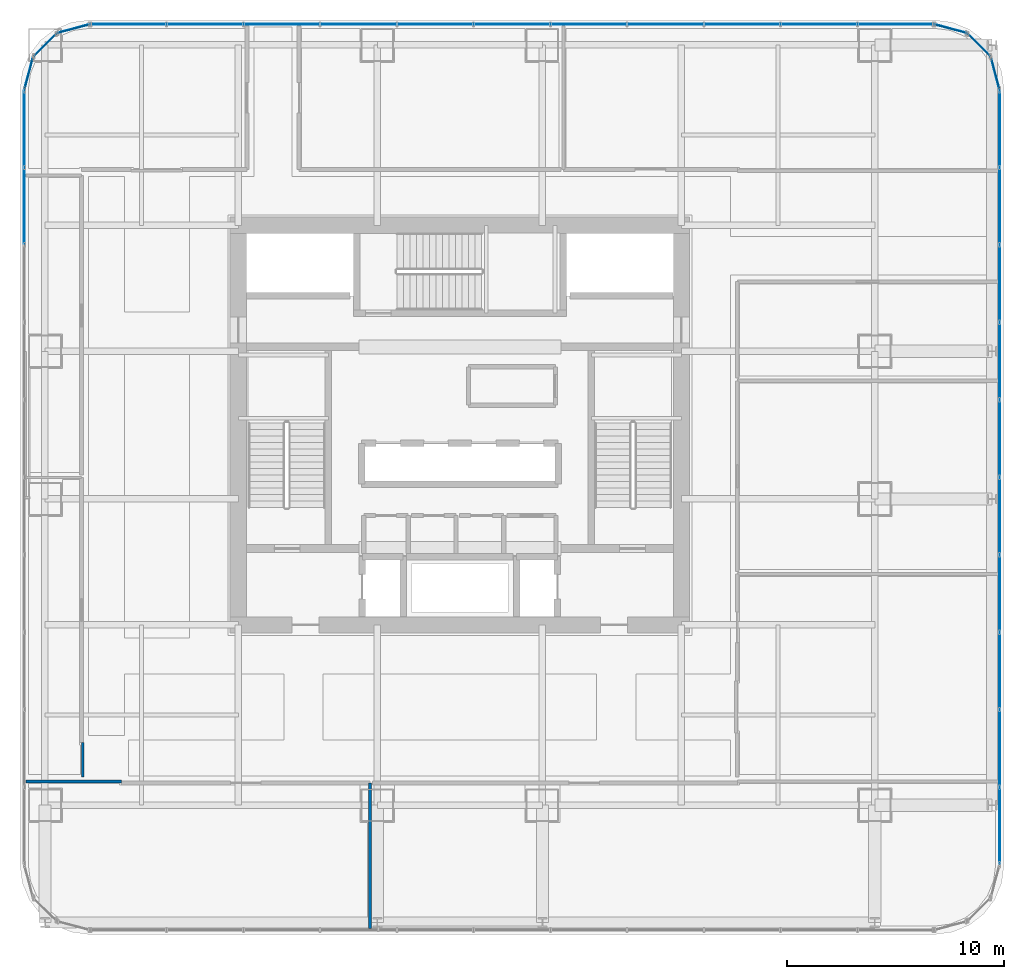
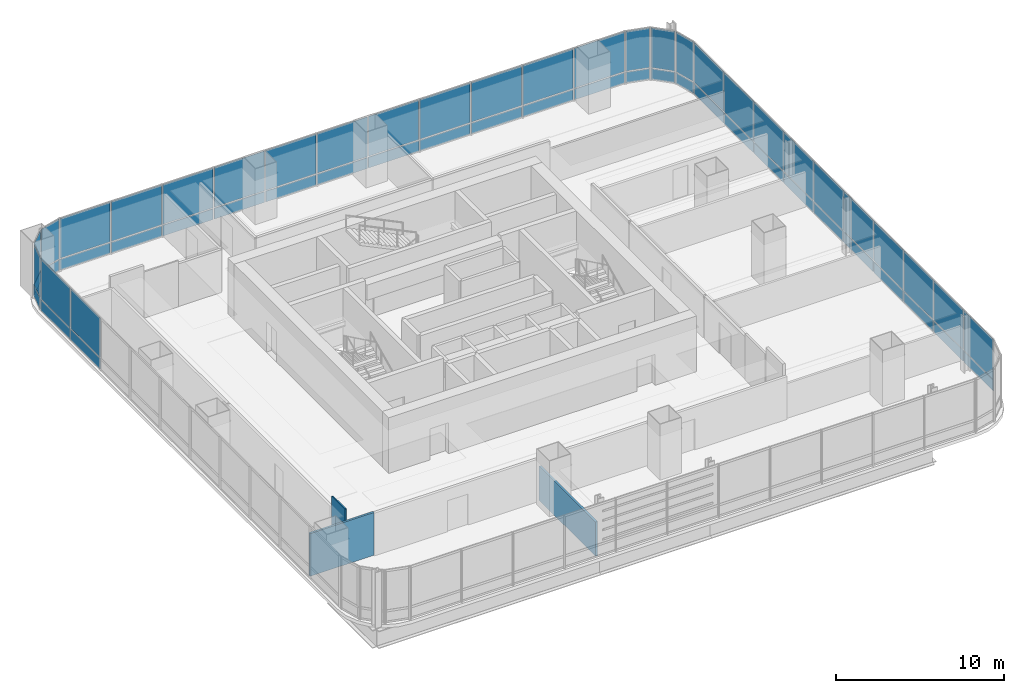
# One storey, part 26 of 35: 58 plates, 3 walls, 9 elements without a shape of their own.
"""IFC4 building model written with IfcOpenShell, lengths in metres."""

from ifc_helpers import new_model, si_unit, direction, frame, frame_2d, origin, origin_2d, place, context, subcontext, project, spatial, rectangle, extrude, material, layer, layer_set, type_object, element, aggregate, save


model = new_model("IFC4")

# Units and contexts
model_context = context("Model", 3, precision=1e-05, world=origin(), true_north=direction((0.0, 1.0)))
body_context = subcontext(model_context, "Body", "Model", "MODEL_VIEW")
ifc_project = project(units=[si_unit("LENGTHUNIT", "METRE"), si_unit("AREAUNIT", "SQUARE_METRE"), si_unit("VOLUMEUNIT", "CUBIC_METRE"), si_unit("PLANEANGLEUNIT", "RADIAN"), si_unit("MASSUNIT", "GRAM", prefix="KILO")], contexts=[model_context])

# Site, building, storey
site_placement = place(None, origin())
site = spatial("IfcSite", under=ifc_project, at=site_placement, CompositionType="ELEMENT")
building_placement = place(site_placement, origin())
building = spatial("IfcBuilding", under=site, at=building_placement, Name="Punatoya Terracotta Tower", CompositionType="ELEMENT")
storey_placement = place(building_placement, frame((0.0, 0.0, 72.75)))
storey = spatial("IfcBuildingStorey", under=building, at=storey_placement, Name="L16", CompositionType="ELEMENT", Elevation=72.75)

# Curtain wall, plates
ifc_material_1 = material(Name="Aluminium 6063-T6 + Double Low-E Glass", Category="aluminium")
curtain_wall_type = type_object("IfcCurtainWallType", Name="CW-M1", PredefinedType="NOTDEFINED", material=ifc_material_1)
curtain_wall_1_placement = place(storey_placement, origin())
curtain_wall_1 = element("IfcCurtainWall", 1, at=curtain_wall_1_placement, inside=storey, type_object=curtain_wall_type, Name="L16 Curtain Wall CW-L16-E05-1", PredefinedType="NOTDEFINED")
ifc_material_2 = material(Name="Double Low-E Clear Vision Glass", Category="glass")
ifc_layer_1 = layer(ifc_material_2, 0.028076171875)
ifc_layer_set_1 = layer_set([ifc_layer_1], Name="Double Low-E Clear Vision Glass")
plate_type_1 = type_object("IfcPlateType", Name="PLT-GLZ-28", PredefinedType="CURTAIN_PANEL", material=ifc_layer_set_1)
plate_1_placement = place(storey_placement, frame((24.85009765625, -18.453125, 0.89013671875), z_axis=(0.0, 0.0, 1.0), x_axis=(0.0, 1.0, 0.0)))
plate_1 = element("IfcPlate", 2, at=plate_1_placement, type_object=plate_type_1, Name="CW-L16-E05-1 Vision Glass Panel 1", PredefinedType="CURTAIN_PANEL", context=body_context, shape_type="SweptSolid", body=[
    extrude(rectangle(XDim=3.482421875, YDim=0.028076171875, at=origin_2d()), origin(), (0.0, 0.0, 1.0), 2.8798828125),
])
plate_2_placement = place(storey_placement, frame((24.85009765625, -14.8857421875, 0.89013671875), z_axis=(0.0, 0.0, 1.0), x_axis=(0.0, 1.0, 0.0)))
plate_2 = element("IfcPlate", 3, at=plate_2_placement, type_object=plate_type_1, Name="CW-L16-E05-1 Vision Glass Panel 2", PredefinedType="CURTAIN_PANEL", context=body_context, shape_type="SweptSolid", body=[
    extrude(rectangle(XDim=3.482421875, YDim=0.028076171875, at=origin_2d()), origin(), (0.0, 0.0, 1.0), 2.8798828125),
])
plate_3_placement = place(storey_placement, frame((24.85009765625, -11.318359375, 0.89013671875), z_axis=(0.0, 0.0, 1.0), x_axis=(0.0, 1.0, 0.0)))
plate_3 = element("IfcPlate", 4, at=plate_3_placement, type_object=plate_type_1, Name="CW-L16-E05-1 Vision Glass Panel 3", PredefinedType="CURTAIN_PANEL", context=body_context, shape_type="SweptSolid", body=[
    extrude(rectangle(XDim=3.482421875, YDim=0.028076171875, at=origin_2d()), origin(), (0.0, 0.0, 1.0), 2.8798828125),
])
plate_4_placement = place(storey_placement, frame((24.85009765625, -7.751220703125, 0.89013671875), z_axis=(0.0, 0.0, 1.0), x_axis=(0.0, 1.0, 0.0)))
plate_4 = element("IfcPlate", 5, at=plate_4_placement, type_object=plate_type_1, Name="CW-L16-E05-1 Vision Glass Panel 4", PredefinedType="CURTAIN_PANEL", context=body_context, shape_type="SweptSolid", body=[
    extrude(rectangle(XDim=3.482421875, YDim=0.028076171875, at=origin_2d()), origin(), (0.0, 0.0, 1.0), 2.8798828125),
])
plate_5_placement = place(storey_placement, frame((24.85009765625, -4.18359375, 0.89013671875), z_axis=(0.0, 0.0, 1.0), x_axis=(0.0, 1.0, 0.0)))
plate_5 = element("IfcPlate", 6, at=plate_5_placement, type_object=plate_type_1, Name="CW-L16-E05-1 Vision Glass Panel 5", PredefinedType="CURTAIN_PANEL", context=body_context, shape_type="SweptSolid", body=[
    extrude(rectangle(XDim=3.482421875, YDim=0.028076171875, at=origin_2d()), origin(), (0.0, 0.0, 1.0), 2.8798828125),
])
plate_6_placement = place(storey_placement, frame((24.85009765625, -0.6162109375, 0.89013671875), z_axis=(0.0, 0.0, 1.0), x_axis=(0.0, 1.0, 0.0)))
plate_6 = element("IfcPlate", 7, at=plate_6_placement, type_object=plate_type_1, Name="CW-L16-E05-1 Vision Glass Panel 6", PredefinedType="CURTAIN_PANEL", context=body_context, shape_type="SweptSolid", body=[
    extrude(rectangle(XDim=3.482421875, YDim=0.028076171875, at=origin_2d()), origin(), (0.0, 0.0, 1.0), 2.8798828125),
])
plate_7_placement = place(storey_placement, frame((24.85009765625, 2.951171875, 0.89013671875), z_axis=(0.0, 0.0, 1.0), x_axis=(0.0, 1.0, 0.0)))
plate_7 = element("IfcPlate", 8, at=plate_7_placement, type_object=plate_type_1, Name="CW-L16-E05-1 Vision Glass Panel 7", PredefinedType="CURTAIN_PANEL", context=body_context, shape_type="SweptSolid", body=[
    extrude(rectangle(XDim=3.482421875, YDim=0.028076171875, at=origin_2d()), origin(), (0.0, 0.0, 1.0), 2.8798828125),
])
plate_8_placement = place(storey_placement, frame((24.85009765625, 6.518310546875, 0.89013671875), z_axis=(0.0, 0.0, 1.0), x_axis=(0.0, 1.0, 0.0)))
plate_8 = element("IfcPlate", 9, at=plate_8_placement, type_object=plate_type_1, Name="CW-L16-E05-1 Vision Glass Panel 8", PredefinedType="CURTAIN_PANEL", context=body_context, shape_type="SweptSolid", body=[
    extrude(rectangle(XDim=3.482421875, YDim=0.028076171875, at=origin_2d()), origin(), (0.0, 0.0, 1.0), 2.8798828125),
])
plate_9_placement = place(storey_placement, frame((24.85009765625, 10.085693359375, 0.89013671875), z_axis=(0.0, 0.0, 1.0), x_axis=(0.0, 1.0, 0.0)))
plate_9 = element("IfcPlate", 10, at=plate_9_placement, type_object=plate_type_1, Name="CW-L16-E05-1 Vision Glass Panel 9", PredefinedType="CURTAIN_PANEL", context=body_context, shape_type="SweptSolid", body=[
    extrude(rectangle(XDim=3.482421875, YDim=0.028076171875, at=origin_2d()), origin(), (0.0, 0.0, 1.0), 2.8798828125),
])
plate_10_placement = place(storey_placement, frame((24.85009765625, 13.6533203125, 0.89013671875), z_axis=(0.0, 0.0, 1.0), x_axis=(0.0, 1.0, 0.0)))
plate_10 = element("IfcPlate", 11, at=plate_10_placement, type_object=plate_type_1, Name="CW-L16-E05-1 Vision Glass Panel 10", PredefinedType="CURTAIN_PANEL", context=body_context, shape_type="SweptSolid", body=[
    extrude(rectangle(XDim=3.482421875, YDim=0.028076171875, at=origin_2d()), origin(), (0.0, 0.0, 1.0), 2.8798828125),
])

# Curtain wall, plate
curtain_wall_2_placement = place(storey_placement, origin())
curtain_wall_2 = element("IfcCurtainWall", 12, at=curtain_wall_2_placement, inside=storey, type_object=curtain_wall_type, Name="L16 Curtain Wall CW-L16-CRN06", PredefinedType="NOTDEFINED")
plate_11_placement = place(storey_placement, frame((24.648193359375, 16.193115234375, 0.89013671875), z_axis=(0.0, 0.0, 1.0), x_axis=(-0.257741620719, 0.966213877436, 0.0)))
plate_11 = element("IfcPlate", 13, at=plate_11_placement, type_object=plate_type_1, Name="CW-L16-CRN06 Vision Glass Panel 1", PredefinedType="CURTAIN_PANEL", context=body_context, shape_type="SweptSolid", body=[
    extrude(rectangle(XDim=1.47998046875, YDim=0.028076171875, at=origin_2d()), origin(), (0.0, 0.0, 1.0), 2.8798828125),
])

curtain_wall_3_placement = place(storey_placement, origin())
curtain_wall_3 = element("IfcCurtainWall", 14, at=curtain_wall_3_placement, inside=storey, type_object=curtain_wall_type, Name="L16 Curtain Wall CW-L16-CRN07", PredefinedType="NOTDEFINED")
plate_12_placement = place(storey_placement, frame((23.89794921875, 17.497802734375, 0.89013671875), z_axis=(0.0, 0.0, 1.0), x_axis=(-0.707106781187, 0.707106781187, 0.0)))
plate_12 = element("IfcPlate", 15, at=plate_12_placement, type_object=plate_type_1, Name="CW-L16-CRN07 Vision Glass Panel 1", PredefinedType="CURTAIN_PANEL", context=body_context, shape_type="SweptSolid", body=[
    extrude(rectangle(XDim=1.467041015625, YDim=0.028076171875, at=origin_2d()), origin(), (0.0, 0.0, 1.0), 2.8798828125),
])

curtain_wall_4_placement = place(storey_placement, origin())
curtain_wall_4 = element("IfcCurtainWall", 16, at=curtain_wall_4_placement, inside=storey, type_object=curtain_wall_type, Name="L16 Curtain Wall CW-L16-CRN08", PredefinedType="NOTDEFINED")
plate_13_placement = place(storey_placement, frame((22.593017578125, 18.248291015625, 0.89013671875), z_axis=(0.0, 0.0, 1.0), x_axis=(-0.966213877436, 0.257741620719, 0.0)))
plate_13 = element("IfcPlate", 17, at=plate_13_placement, type_object=plate_type_1, Name="CW-L16-CRN08 Vision Glass Panel 1", PredefinedType="CURTAIN_PANEL", context=body_context, shape_type="SweptSolid", body=[
    extrude(rectangle(XDim=1.47998046875, YDim=0.028076171875, at=origin_2d()), origin(), (0.0, 0.0, 1.0), 2.8798828125),
])

# Curtain wall, plates
curtain_wall_5_placement = place(storey_placement, origin())
curtain_wall_5 = element("IfcCurtainWall", 18, at=curtain_wall_5_placement, inside=storey, type_object=curtain_wall_type, Name="L16 Curtain Wall CW-L16-N09-1", PredefinedType="NOTDEFINED")
plate_14_placement = place(storey_placement, frame((20.06982421875, 18.449951171875, 0.89013671875), z_axis=(0.0, 0.0, 1.0), x_axis=(-1.0, 0.0, 0.0)))
plate_14 = element("IfcPlate", 19, at=plate_14_placement, type_object=plate_type_1, Name="CW-L16-N09-1 Vision Glass Panel 1", PredefinedType="CURTAIN_PANEL", context=body_context, shape_type="SweptSolid", body=[
    extrude(rectangle(XDim=3.448974609375, YDim=0.028076171875, at=origin_2d()), origin(), (0.0, 0.0, 1.0), 2.8798828125),
])
plate_15_placement = place(storey_placement, frame((16.535888671875, 18.449951171875, 0.89013671875), z_axis=(0.0, 0.0, 1.0), x_axis=(-1.0, 0.0, 0.0)))
plate_15 = element("IfcPlate", 20, at=plate_15_placement, type_object=plate_type_1, Name="CW-L16-N09-1 Vision Glass Panel 2", PredefinedType="CURTAIN_PANEL", context=body_context, shape_type="SweptSolid", body=[
    extrude(rectangle(XDim=3.448974609375, YDim=0.028076171875, at=origin_2d()), origin(), (0.0, 0.0, 1.0), 2.8798828125),
])
plate_16_placement = place(storey_placement, frame((13.001953125, 18.449951171875, 0.89013671875), z_axis=(0.0, 0.0, 1.0), x_axis=(-1.0, 0.0, 0.0)))
plate_16 = element("IfcPlate", 21, at=plate_16_placement, type_object=plate_type_1, Name="CW-L16-N09-1 Vision Glass Panel 3", PredefinedType="CURTAIN_PANEL", context=body_context, shape_type="SweptSolid", body=[
    extrude(rectangle(XDim=3.448974609375, YDim=0.028076171875, at=origin_2d()), origin(), (0.0, 0.0, 1.0), 2.8798828125),
])
plate_17_placement = place(storey_placement, frame((9.468017578125, 18.449951171875, 0.89013671875), z_axis=(0.0, 0.0, 1.0), x_axis=(-1.0, 0.0, 0.0)))
plate_17 = element("IfcPlate", 22, at=plate_17_placement, type_object=plate_type_1, Name="CW-L16-N09-1 Vision Glass Panel 4", PredefinedType="CURTAIN_PANEL", context=body_context, shape_type="SweptSolid", body=[
    extrude(rectangle(XDim=3.448974609375, YDim=0.028076171875, at=origin_2d()), origin(), (0.0, 0.0, 1.0), 2.8798828125),
])
plate_18_placement = place(storey_placement, frame((5.93408203125, 18.449951171875, 0.89013671875), z_axis=(0.0, 0.0, 1.0), x_axis=(-1.0, 0.0, 0.0)))
plate_18 = element("IfcPlate", 23, at=plate_18_placement, type_object=plate_type_1, Name="CW-L16-N09-1 Vision Glass Panel 5", PredefinedType="CURTAIN_PANEL", context=body_context, shape_type="SweptSolid", body=[
    extrude(rectangle(XDim=3.448974609375, YDim=0.028076171875, at=origin_2d()), origin(), (0.0, 0.0, 1.0), 2.8798828125),
])
plate_19_placement = place(storey_placement, frame((2.39990234375, 18.449951171875, 0.89013671875), z_axis=(0.0, 0.0, 1.0), x_axis=(-1.0, 0.0, 0.0)))
plate_19 = element("IfcPlate", 24, at=plate_19_placement, type_object=plate_type_1, Name="CW-L16-N09-1 Vision Glass Panel 6", PredefinedType="CURTAIN_PANEL", context=body_context, shape_type="SweptSolid", body=[
    extrude(rectangle(XDim=3.448974609375, YDim=0.028076171875, at=origin_2d()), origin(), (0.0, 0.0, 1.0), 2.8798828125),
])
plate_20_placement = place(storey_placement, frame((-1.134033203125, 18.449951171875, 0.89013671875), z_axis=(0.0, 0.0, 1.0), x_axis=(-1.0, 0.0, 0.0)))
plate_20 = element("IfcPlate", 25, at=plate_20_placement, type_object=plate_type_1, Name="CW-L16-N09-1 Vision Glass Panel 7", PredefinedType="CURTAIN_PANEL", context=body_context, shape_type="SweptSolid", body=[
    extrude(rectangle(XDim=3.448974609375, YDim=0.028076171875, at=origin_2d()), origin(), (0.0, 0.0, 1.0), 2.8798828125),
])
plate_21_placement = place(storey_placement, frame((-4.66796875, 18.449951171875, 0.89013671875), z_axis=(0.0, 0.0, 1.0), x_axis=(-1.0, 0.0, 0.0)))
plate_21 = element("IfcPlate", 26, at=plate_21_placement, type_object=plate_type_1, Name="CW-L16-N09-1 Vision Glass Panel 8", PredefinedType="CURTAIN_PANEL", context=body_context, shape_type="SweptSolid", body=[
    extrude(rectangle(XDim=3.448974609375, YDim=0.028076171875, at=origin_2d()), origin(), (0.0, 0.0, 1.0), 2.8798828125),
])
plate_22_placement = place(storey_placement, frame((-8.201904296875, 18.449951171875, 0.89013671875), z_axis=(0.0, 0.0, 1.0), x_axis=(-1.0, 0.0, 0.0)))
plate_22 = element("IfcPlate", 27, at=plate_22_placement, type_object=plate_type_1, Name="CW-L16-N09-1 Vision Glass Panel 9", PredefinedType="CURTAIN_PANEL", context=body_context, shape_type="SweptSolid", body=[
    extrude(rectangle(XDim=3.448974609375, YDim=0.028076171875, at=origin_2d()), origin(), (0.0, 0.0, 1.0), 2.8798828125),
])
plate_23_placement = place(storey_placement, frame((-11.73583984375, 18.449951171875, 0.89013671875), z_axis=(0.0, 0.0, 1.0), x_axis=(-1.0, 0.0, 0.0)))
plate_23 = element("IfcPlate", 28, at=plate_23_placement, type_object=plate_type_1, Name="CW-L16-N09-1 Vision Glass Panel 10", PredefinedType="CURTAIN_PANEL", context=body_context, shape_type="SweptSolid", body=[
    extrude(rectangle(XDim=3.448974609375, YDim=0.028076171875, at=origin_2d()), origin(), (0.0, 0.0, 1.0), 2.8798828125),
])
plate_24_placement = place(storey_placement, frame((-15.27001953125, 18.449951171875, 0.89013671875), z_axis=(0.0, 0.0, 1.0), x_axis=(-1.0, 0.0, 0.0)))
plate_24 = element("IfcPlate", 29, at=plate_24_placement, type_object=plate_type_1, Name="CW-L16-N09-1 Vision Glass Panel 11", PredefinedType="CURTAIN_PANEL", context=body_context, shape_type="SweptSolid", body=[
    extrude(rectangle(XDim=3.448974609375, YDim=0.028076171875, at=origin_2d()), origin(), (0.0, 0.0, 1.0), 2.8798828125),
])

# Curtain wall, plate
curtain_wall_6_placement = place(storey_placement, origin())
curtain_wall_6 = element("IfcCurtainWall", 30, at=curtain_wall_6_placement, inside=storey, type_object=curtain_wall_type, Name="L16 Curtain Wall CW-L16-CRN10", PredefinedType="NOTDEFINED")
plate_25_placement = place(storey_placement, frame((-17.79296875, 18.248291015625, 0.89013671875), z_axis=(0.0, 0.0, 1.0), x_axis=(-0.966213877436, -0.257741620719, 0.0)))
plate_25 = element("IfcPlate", 31, at=plate_25_placement, type_object=plate_type_1, Name="CW-L16-CRN10 Vision Glass Panel 1", PredefinedType="CURTAIN_PANEL", context=body_context, shape_type="SweptSolid", body=[
    extrude(rectangle(XDim=1.47998046875, YDim=0.028076171875, at=origin_2d()), origin(), (0.0, 0.0, 1.0), 2.8798828125),
])

curtain_wall_7_placement = place(storey_placement, origin())
curtain_wall_7 = element("IfcCurtainWall", 32, at=curtain_wall_7_placement, inside=storey, type_object=curtain_wall_type, Name="L16 Curtain Wall CW-L16-CRN11", PredefinedType="NOTDEFINED")
plate_26_placement = place(storey_placement, frame((-19.097900390625, 17.497802734375, 0.89013671875), z_axis=(0.0, 0.0, 1.0), x_axis=(-0.707106781187, -0.707106781187, 0.0)))
plate_26 = element("IfcPlate", 33, at=plate_26_placement, type_object=plate_type_1, Name="CW-L16-CRN11 Vision Glass Panel 1", PredefinedType="CURTAIN_PANEL", context=body_context, shape_type="SweptSolid", body=[
    extrude(rectangle(XDim=1.467041015625, YDim=0.028076171875, at=origin_2d()), origin(), (0.0, 0.0, 1.0), 2.8798828125),
])

curtain_wall_8_placement = place(storey_placement, origin())
curtain_wall_8 = element("IfcCurtainWall", 34, at=curtain_wall_8_placement, inside=storey, type_object=curtain_wall_type, Name="L16 Curtain Wall CW-L16-CRN12", PredefinedType="NOTDEFINED")
plate_27_placement = place(storey_placement, frame((-19.848388671875, 16.193115234375, 0.89013671875), z_axis=(0.0, 0.0, 1.0), x_axis=(-0.257741620719, -0.966213877436, 0.0)))
plate_27 = element("IfcPlate", 35, at=plate_27_placement, type_object=plate_type_1, Name="CW-L16-CRN12 Vision Glass Panel 1", PredefinedType="CURTAIN_PANEL", context=body_context, shape_type="SweptSolid", body=[
    extrude(rectangle(XDim=1.47998046875, YDim=0.028076171875, at=origin_2d()), origin(), (0.0, 0.0, 1.0), 2.8798828125),
])

# Curtain wall, plates
curtain_wall_9_placement = place(storey_placement, origin())
curtain_wall_9 = element("IfcCurtainWall", 36, at=curtain_wall_9_placement, inside=storey, type_object=curtain_wall_type, Name="L16 Curtain Wall CW-L16-W13-1", PredefinedType="NOTDEFINED")
plate_28_placement = place(storey_placement, frame((-20.050048828125, 13.6533203125, 0.89013671875), z_axis=(0.0, 0.0, 1.0), x_axis=(0.0, -1.0, 0.0)))
plate_28 = element("IfcPlate", 37, at=plate_28_placement, type_object=plate_type_1, Name="CW-L16-W13-1 Vision Glass Panel 1", PredefinedType="CURTAIN_PANEL", context=body_context, shape_type="SweptSolid", body=[
    extrude(rectangle(XDim=3.482421875, YDim=0.028076171875, at=origin_2d()), origin(), (0.0, 0.0, 1.0), 2.8798828125),
])
plate_29_placement = place(storey_placement, frame((-20.050048828125, 10.085693359375, 0.89013671875), z_axis=(0.0, 0.0, 1.0), x_axis=(0.0, -1.0, 0.0)))
plate_29 = element("IfcPlate", 38, at=plate_29_placement, type_object=plate_type_1, Name="CW-L16-W13-1 Vision Glass Panel 2", PredefinedType="CURTAIN_PANEL", context=body_context, shape_type="SweptSolid", body=[
    extrude(rectangle(XDim=3.482421875, YDim=0.028076171875, at=origin_2d()), origin(), (0.0, 0.0, 1.0), 2.8798828125),
])

# Plate
ifc_material_3 = material(Name="Insulated Terracotta-Backed Spandrel Panel", Category="masonry")
ifc_layer_2 = layer(ifc_material_3, 0.044921875)
ifc_layer_set_2 = layer_set([ifc_layer_2], Name="Insulated Terracotta-Backed Spandrel Panel")
plate_type_2 = type_object("IfcPlateType", Name="PLT-SPN-45", PredefinedType="CURTAIN_PANEL", material=ifc_layer_set_2)
plate_30_placement = place(storey_placement, frame((24.85009765625, -18.453125, 0.0400390625), z_axis=(0.0, 0.0, 1.0), x_axis=(0.0, 1.0, 0.0)))
plate_30 = element("IfcPlate", 39, at=plate_30_placement, type_object=plate_type_2, Name="CW-L16-E05-1 Terracotta Spandrel Panel 1", PredefinedType="CURTAIN_PANEL", context=body_context, shape_type="SweptSolid", body=[
    extrude(rectangle(XDim=3.482421875, YDim=0.044921875, at=origin_2d()), origin(), (0.0, 0.0, 1.0), 0.77490234375),
])

plate_31_placement = place(storey_placement, frame((24.85009765625, -14.8857421875, 0.0400390625), z_axis=(0.0, 0.0, 1.0), x_axis=(0.0, 1.0, 0.0)))
plate_31 = element("IfcPlate", 40, at=plate_31_placement, type_object=plate_type_2, Name="CW-L16-E05-1 Terracotta Spandrel Panel 2", PredefinedType="CURTAIN_PANEL", context=body_context, shape_type="SweptSolid", body=[
    extrude(rectangle(XDim=3.482421875, YDim=0.044921875, at=origin_2d()), origin(), (0.0, 0.0, 1.0), 0.77490234375),
])

plate_32_placement = place(storey_placement, frame((24.85009765625, -11.318359375, 0.0400390625), z_axis=(0.0, 0.0, 1.0), x_axis=(0.0, 1.0, 0.0)))
plate_32 = element("IfcPlate", 41, at=plate_32_placement, type_object=plate_type_2, Name="CW-L16-E05-1 Terracotta Spandrel Panel 3", PredefinedType="CURTAIN_PANEL", context=body_context, shape_type="SweptSolid", body=[
    extrude(rectangle(XDim=3.482421875, YDim=0.044921875, at=origin_2d()), origin(), (0.0, 0.0, 1.0), 0.77490234375),
])

plate_33_placement = place(storey_placement, frame((24.85009765625, -7.751220703125, 0.0400390625), z_axis=(0.0, 0.0, 1.0), x_axis=(0.0, 1.0, 0.0)))
plate_33 = element("IfcPlate", 42, at=plate_33_placement, type_object=plate_type_2, Name="CW-L16-E05-1 Terracotta Spandrel Panel 4", PredefinedType="CURTAIN_PANEL", context=body_context, shape_type="SweptSolid", body=[
    extrude(rectangle(XDim=3.482421875, YDim=0.044921875, at=origin_2d()), origin(), (0.0, 0.0, 1.0), 0.77490234375),
])

plate_34_placement = place(storey_placement, frame((24.85009765625, -4.18359375, 0.0400390625), z_axis=(0.0, 0.0, 1.0), x_axis=(0.0, 1.0, 0.0)))
plate_34 = element("IfcPlate", 43, at=plate_34_placement, type_object=plate_type_2, Name="CW-L16-E05-1 Terracotta Spandrel Panel 5", PredefinedType="CURTAIN_PANEL", context=body_context, shape_type="SweptSolid", body=[
    extrude(rectangle(XDim=3.482421875, YDim=0.044921875, at=origin_2d()), origin(), (0.0, 0.0, 1.0), 0.77490234375),
])

plate_35_placement = place(storey_placement, frame((24.85009765625, -0.6162109375, 0.0400390625), z_axis=(0.0, 0.0, 1.0), x_axis=(0.0, 1.0, 0.0)))
plate_35 = element("IfcPlate", 44, at=plate_35_placement, type_object=plate_type_2, Name="CW-L16-E05-1 Terracotta Spandrel Panel 6", PredefinedType="CURTAIN_PANEL", context=body_context, shape_type="SweptSolid", body=[
    extrude(rectangle(XDim=3.482421875, YDim=0.044921875, at=origin_2d()), origin(), (0.0, 0.0, 1.0), 0.77490234375),
])

plate_36_placement = place(storey_placement, frame((24.85009765625, 2.951171875, 0.0400390625), z_axis=(0.0, 0.0, 1.0), x_axis=(0.0, 1.0, 0.0)))
plate_36 = element("IfcPlate", 45, at=plate_36_placement, type_object=plate_type_2, Name="CW-L16-E05-1 Terracotta Spandrel Panel 7", PredefinedType="CURTAIN_PANEL", context=body_context, shape_type="SweptSolid", body=[
    extrude(rectangle(XDim=3.482421875, YDim=0.044921875, at=origin_2d()), origin(), (0.0, 0.0, 1.0), 0.77490234375),
])

plate_37_placement = place(storey_placement, frame((24.85009765625, 6.518310546875, 0.0400390625), z_axis=(0.0, 0.0, 1.0), x_axis=(0.0, 1.0, 0.0)))
plate_37 = element("IfcPlate", 46, at=plate_37_placement, type_object=plate_type_2, Name="CW-L16-E05-1 Terracotta Spandrel Panel 8", PredefinedType="CURTAIN_PANEL", context=body_context, shape_type="SweptSolid", body=[
    extrude(rectangle(XDim=3.482421875, YDim=0.044921875, at=origin_2d()), origin(), (0.0, 0.0, 1.0), 0.77490234375),
])

plate_38_placement = place(storey_placement, frame((24.85009765625, 10.085693359375, 0.0400390625), z_axis=(0.0, 0.0, 1.0), x_axis=(0.0, 1.0, 0.0)))
plate_38 = element("IfcPlate", 47, at=plate_38_placement, type_object=plate_type_2, Name="CW-L16-E05-1 Terracotta Spandrel Panel 9", PredefinedType="CURTAIN_PANEL", context=body_context, shape_type="SweptSolid", body=[
    extrude(rectangle(XDim=3.482421875, YDim=0.044921875, at=origin_2d()), origin(), (0.0, 0.0, 1.0), 0.77490234375),
])

plate_39_placement = place(storey_placement, frame((24.85009765625, 13.6533203125, 0.0400390625), z_axis=(0.0, 0.0, 1.0), x_axis=(0.0, 1.0, 0.0)))
plate_39 = element("IfcPlate", 48, at=plate_39_placement, type_object=plate_type_2, Name="CW-L16-E05-1 Terracotta Spandrel Panel 10", PredefinedType="CURTAIN_PANEL", context=body_context, shape_type="SweptSolid", body=[
    extrude(rectangle(XDim=3.482421875, YDim=0.044921875, at=origin_2d()), origin(), (0.0, 0.0, 1.0), 0.77490234375),
])

aggregate(curtain_wall_1, [plate_30, plate_1, plate_31, plate_2, plate_32, plate_3, plate_33, plate_4, plate_34, plate_5, plate_35, plate_6, plate_36, plate_7, plate_37, plate_8, plate_38, plate_9, plate_39, plate_10])

plate_40_placement = place(storey_placement, frame((24.648193359375, 16.193115234375, 0.0400390625), z_axis=(0.0, 0.0, 1.0), x_axis=(-0.257741620719, 0.966213877436, 0.0)))
plate_40 = element("IfcPlate", 49, at=plate_40_placement, type_object=plate_type_2, Name="CW-L16-CRN06 Terracotta Spandrel Panel 1", PredefinedType="CURTAIN_PANEL", context=body_context, shape_type="SweptSolid", body=[
    extrude(rectangle(XDim=1.47998046875, YDim=0.044921875, at=origin_2d()), origin(), (0.0, 0.0, 1.0), 0.77490234375),
])

aggregate(curtain_wall_2, [plate_40, plate_11])

plate_41_placement = place(storey_placement, frame((23.89794921875, 17.497802734375, 0.0400390625), z_axis=(0.0, 0.0, 1.0), x_axis=(-0.707106781187, 0.707106781187, 0.0)))
plate_41 = element("IfcPlate", 50, at=plate_41_placement, type_object=plate_type_2, Name="CW-L16-CRN07 Terracotta Spandrel Panel 1", PredefinedType="CURTAIN_PANEL", context=body_context, shape_type="SweptSolid", body=[
    extrude(rectangle(XDim=1.467041015625, YDim=0.044921875, at=origin_2d()), origin(), (0.0, 0.0, 1.0), 0.77490234375),
])

aggregate(curtain_wall_3, [plate_41, plate_12])

plate_42_placement = place(storey_placement, frame((22.593017578125, 18.248291015625, 0.0400390625), z_axis=(0.0, 0.0, 1.0), x_axis=(-0.966213877436, 0.257741620719, 0.0)))
plate_42 = element("IfcPlate", 51, at=plate_42_placement, type_object=plate_type_2, Name="CW-L16-CRN08 Terracotta Spandrel Panel 1", PredefinedType="CURTAIN_PANEL", context=body_context, shape_type="SweptSolid", body=[
    extrude(rectangle(XDim=1.47998046875, YDim=0.044921875, at=origin_2d()), origin(), (0.0, 0.0, 1.0), 0.77490234375),
])

aggregate(curtain_wall_4, [plate_42, plate_13])

plate_43_placement = place(storey_placement, frame((20.06982421875, 18.449951171875, 0.0400390625), z_axis=(0.0, 0.0, 1.0), x_axis=(-1.0, 0.0, 0.0)))
plate_43 = element("IfcPlate", 52, at=plate_43_placement, type_object=plate_type_2, Name="CW-L16-N09-1 Terracotta Spandrel Panel 1", PredefinedType="CURTAIN_PANEL", context=body_context, shape_type="SweptSolid", body=[
    extrude(rectangle(XDim=3.448974609375, YDim=0.044921875, at=origin_2d()), origin(), (0.0, 0.0, 1.0), 0.77490234375),
])

plate_44_placement = place(storey_placement, frame((16.535888671875, 18.449951171875, 0.0400390625), z_axis=(0.0, 0.0, 1.0), x_axis=(-1.0, 0.0, 0.0)))
plate_44 = element("IfcPlate", 53, at=plate_44_placement, type_object=plate_type_2, Name="CW-L16-N09-1 Terracotta Spandrel Panel 2", PredefinedType="CURTAIN_PANEL", context=body_context, shape_type="SweptSolid", body=[
    extrude(rectangle(XDim=3.448974609375, YDim=0.044921875, at=origin_2d()), origin(), (0.0, 0.0, 1.0), 0.77490234375),
])

plate_45_placement = place(storey_placement, frame((13.001953125, 18.449951171875, 0.0400390625), z_axis=(0.0, 0.0, 1.0), x_axis=(-1.0, 0.0, 0.0)))
plate_45 = element("IfcPlate", 54, at=plate_45_placement, type_object=plate_type_2, Name="CW-L16-N09-1 Terracotta Spandrel Panel 3", PredefinedType="CURTAIN_PANEL", context=body_context, shape_type="SweptSolid", body=[
    extrude(rectangle(XDim=3.448974609375, YDim=0.044921875, at=origin_2d()), origin(), (0.0, 0.0, 1.0), 0.77490234375),
])

plate_46_placement = place(storey_placement, frame((9.468017578125, 18.449951171875, 0.0400390625), z_axis=(0.0, 0.0, 1.0), x_axis=(-1.0, 0.0, 0.0)))
plate_46 = element("IfcPlate", 55, at=plate_46_placement, type_object=plate_type_2, Name="CW-L16-N09-1 Terracotta Spandrel Panel 4", PredefinedType="CURTAIN_PANEL", context=body_context, shape_type="SweptSolid", body=[
    extrude(rectangle(XDim=3.448974609375, YDim=0.044921875, at=origin_2d()), origin(), (0.0, 0.0, 1.0), 0.77490234375),
])

plate_47_placement = place(storey_placement, frame((5.93408203125, 18.449951171875, 0.0400390625), z_axis=(0.0, 0.0, 1.0), x_axis=(-1.0, 0.0, 0.0)))
plate_47 = element("IfcPlate", 56, at=plate_47_placement, type_object=plate_type_2, Name="CW-L16-N09-1 Terracotta Spandrel Panel 5", PredefinedType="CURTAIN_PANEL", context=body_context, shape_type="SweptSolid", body=[
    extrude(rectangle(XDim=3.448974609375, YDim=0.044921875, at=origin_2d()), origin(), (0.0, 0.0, 1.0), 0.77490234375),
])

plate_48_placement = place(storey_placement, frame((2.39990234375, 18.449951171875, 0.0400390625), z_axis=(0.0, 0.0, 1.0), x_axis=(-1.0, 0.0, 0.0)))
plate_48 = element("IfcPlate", 57, at=plate_48_placement, type_object=plate_type_2, Name="CW-L16-N09-1 Terracotta Spandrel Panel 6", PredefinedType="CURTAIN_PANEL", context=body_context, shape_type="SweptSolid", body=[
    extrude(rectangle(XDim=3.448974609375, YDim=0.044921875, at=origin_2d()), origin(), (0.0, 0.0, 1.0), 0.77490234375),
])

plate_49_placement = place(storey_placement, frame((-1.134033203125, 18.449951171875, 0.0400390625), z_axis=(0.0, 0.0, 1.0), x_axis=(-1.0, 0.0, 0.0)))
plate_49 = element("IfcPlate", 58, at=plate_49_placement, type_object=plate_type_2, Name="CW-L16-N09-1 Terracotta Spandrel Panel 7", PredefinedType="CURTAIN_PANEL", context=body_context, shape_type="SweptSolid", body=[
    extrude(rectangle(XDim=3.448974609375, YDim=0.044921875, at=origin_2d()), origin(), (0.0, 0.0, 1.0), 0.77490234375),
])

plate_50_placement = place(storey_placement, frame((-4.66796875, 18.449951171875, 0.0400390625), z_axis=(0.0, 0.0, 1.0), x_axis=(-1.0, 0.0, 0.0)))
plate_50 = element("IfcPlate", 59, at=plate_50_placement, type_object=plate_type_2, Name="CW-L16-N09-1 Terracotta Spandrel Panel 8", PredefinedType="CURTAIN_PANEL", context=body_context, shape_type="SweptSolid", body=[
    extrude(rectangle(XDim=3.448974609375, YDim=0.044921875, at=origin_2d()), origin(), (0.0, 0.0, 1.0), 0.77490234375),
])

plate_51_placement = place(storey_placement, frame((-8.201904296875, 18.449951171875, 0.0400390625), z_axis=(0.0, 0.0, 1.0), x_axis=(-1.0, 0.0, 0.0)))
plate_51 = element("IfcPlate", 60, at=plate_51_placement, type_object=plate_type_2, Name="CW-L16-N09-1 Terracotta Spandrel Panel 9", PredefinedType="CURTAIN_PANEL", context=body_context, shape_type="SweptSolid", body=[
    extrude(rectangle(XDim=3.448974609375, YDim=0.044921875, at=origin_2d()), origin(), (0.0, 0.0, 1.0), 0.77490234375),
])

plate_52_placement = place(storey_placement, frame((-11.73583984375, 18.449951171875, 0.0400390625), z_axis=(0.0, 0.0, 1.0), x_axis=(-1.0, 0.0, 0.0)))
plate_52 = element("IfcPlate", 61, at=plate_52_placement, type_object=plate_type_2, Name="CW-L16-N09-1 Terracotta Spandrel Panel 10", PredefinedType="CURTAIN_PANEL", context=body_context, shape_type="SweptSolid", body=[
    extrude(rectangle(XDim=3.448974609375, YDim=0.044921875, at=origin_2d()), origin(), (0.0, 0.0, 1.0), 0.77490234375),
])

plate_53_placement = place(storey_placement, frame((-15.27001953125, 18.449951171875, 0.0400390625), z_axis=(0.0, 0.0, 1.0), x_axis=(-1.0, 0.0, 0.0)))
plate_53 = element("IfcPlate", 62, at=plate_53_placement, type_object=plate_type_2, Name="CW-L16-N09-1 Terracotta Spandrel Panel 11", PredefinedType="CURTAIN_PANEL", context=body_context, shape_type="SweptSolid", body=[
    extrude(rectangle(XDim=3.448974609375, YDim=0.044921875, at=origin_2d()), origin(), (0.0, 0.0, 1.0), 0.77490234375),
])

aggregate(curtain_wall_5, [plate_43, plate_14, plate_44, plate_15, plate_45, plate_16, plate_46, plate_17, plate_47, plate_18, plate_48, plate_19, plate_49, plate_20, plate_50, plate_21, plate_51, plate_22, plate_52, plate_23, plate_53, plate_24])

plate_54_placement = place(storey_placement, frame((-17.79296875, 18.248291015625, 0.0400390625), z_axis=(0.0, 0.0, 1.0), x_axis=(-0.966213877436, -0.257741620719, 0.0)))
plate_54 = element("IfcPlate", 63, at=plate_54_placement, type_object=plate_type_2, Name="CW-L16-CRN10 Terracotta Spandrel Panel 1", PredefinedType="CURTAIN_PANEL", context=body_context, shape_type="SweptSolid", body=[
    extrude(rectangle(XDim=1.47998046875, YDim=0.044921875, at=origin_2d()), origin(), (0.0, 0.0, 1.0), 0.77490234375),
])

aggregate(curtain_wall_6, [plate_54, plate_25])

plate_55_placement = place(storey_placement, frame((-19.097900390625, 17.497802734375, 0.0400390625), z_axis=(0.0, 0.0, 1.0), x_axis=(-0.707106781187, -0.707106781187, 0.0)))
plate_55 = element("IfcPlate", 64, at=plate_55_placement, type_object=plate_type_2, Name="CW-L16-CRN11 Terracotta Spandrel Panel 1", PredefinedType="CURTAIN_PANEL", context=body_context, shape_type="SweptSolid", body=[
    extrude(rectangle(XDim=1.467041015625, YDim=0.044921875, at=origin_2d()), origin(), (0.0, 0.0, 1.0), 0.77490234375),
])

aggregate(curtain_wall_7, [plate_55, plate_26])

plate_56_placement = place(storey_placement, frame((-19.848388671875, 16.193115234375, 0.0400390625), z_axis=(0.0, 0.0, 1.0), x_axis=(-0.257741620719, -0.966213877436, 0.0)))
plate_56 = element("IfcPlate", 65, at=plate_56_placement, type_object=plate_type_2, Name="CW-L16-CRN12 Terracotta Spandrel Panel 1", PredefinedType="CURTAIN_PANEL", context=body_context, shape_type="SweptSolid", body=[
    extrude(rectangle(XDim=1.47998046875, YDim=0.044921875, at=origin_2d()), origin(), (0.0, 0.0, 1.0), 0.77490234375),
])

aggregate(curtain_wall_8, [plate_56, plate_27])

plate_57_placement = place(storey_placement, frame((-20.050048828125, 13.6533203125, 0.0400390625), z_axis=(0.0, 0.0, 1.0), x_axis=(0.0, -1.0, 0.0)))
plate_57 = element("IfcPlate", 66, at=plate_57_placement, type_object=plate_type_2, Name="CW-L16-W13-1 Terracotta Spandrel Panel 1", PredefinedType="CURTAIN_PANEL", context=body_context, shape_type="SweptSolid", body=[
    extrude(rectangle(XDim=3.482421875, YDim=0.044921875, at=origin_2d()), origin(), (0.0, 0.0, 1.0), 0.77490234375),
])

plate_58_placement = place(storey_placement, frame((-20.050048828125, 10.085693359375, 0.0400390625), z_axis=(0.0, 0.0, 1.0), x_axis=(0.0, -1.0, 0.0)))
plate_58 = element("IfcPlate", 67, at=plate_58_placement, type_object=plate_type_2, Name="CW-L16-W13-1 Terracotta Spandrel Panel 2", PredefinedType="CURTAIN_PANEL", context=body_context, shape_type="SweptSolid", body=[
    extrude(rectangle(XDim=3.482421875, YDim=0.044921875, at=origin_2d()), origin(), (0.0, 0.0, 1.0), 0.77490234375),
])

aggregate(curtain_wall_9, [plate_57, plate_28, plate_58, plate_29])

# Walls
ifc_material_4 = material(Name="Aluminium Framed Acoustic Glass Partition", Category="aluminium")
ifc_layer_3 = layer(ifc_material_4, 0.10009765625)
ifc_layer_set_3 = layer_set([ifc_layer_3], Name="Aluminium Framed Acoustic Glass Partition")
wall_type_1 = type_object("IfcWallType", Name="WL-GLZ-100", PredefinedType="PARTITIONING", material=ifc_layer_set_3)
wall_1_placement = place(storey_placement, frame((-17.360107421875, -14.6201171875, 0.0), z_axis=(0.0, 0.0, 1.0), x_axis=(0.0, -1.0, 0.0)))
element("IfcWall", 68, at=wall_1_placement, inside=storey, type_object=wall_type_1, Name="L16 Open-Plan Executive Briefing Room Partition 25", PredefinedType="PARTITIONING", context=body_context, shape_type="SweptSolid", body=[
    extrude(rectangle(XDim=1.56982421875, YDim=0.10009765625, at=frame_2d((0.784912109375, 0.0))), origin(), (0.0, 0.0, 1.0), 3.81005859375),
])
ifc_material_5 = material(Name="Acoustic Gypsum + Steel Stud", Category="steel")
ifc_layer_4 = layer(ifc_material_5, 0.139892578125)
ifc_layer_set_4 = layer_set([ifc_layer_4], Name="Acoustic Gypsum + Steel Stud")
wall_type_2 = type_object("IfcWallType", Name="WL-OFF-140", PredefinedType="PARTITIONING", material=ifc_layer_set_4)
wall_2_placement = place(storey_placement, frame((-19.969970703125, -16.409912109375, 0.0), z_axis=(0.0, 0.0, 1.0), x_axis=(1.0, 0.0, 0.0)))
element("IfcWall", 69, at=wall_2_placement, inside=storey, type_object=wall_type_2, Name="L16 Open-Plan Plenary Seminar Room Partition 14", PredefinedType="PARTITIONING", context=body_context, shape_type="SweptSolid", body=[
    extrude(rectangle(XDim=4.39990234375, YDim=0.139892578125, at=frame_2d((2.199951171875, 0.0))), origin(), (0.0, 0.0, 1.0), 3.10400390625),
])
wall_3_placement = place(storey_placement, frame((-4.14208984375, -16.469970703125, 0.0), z_axis=(0.0, 0.0, 1.0), x_axis=(0.0, -1.0, 0.0)))
element("IfcWall", 70, at=wall_3_placement, inside=storey, type_object=wall_type_2, Name="L16 Open-Plan Plenary Seminar Room Partition 16", PredefinedType="PARTITIONING", context=body_context, shape_type="SweptSolid", body=[
    extrude(rectangle(XDim=6.699951171875, YDim=0.139892578125, at=frame_2d((3.35009765625, 0.0))), origin(), (0.0, 0.0, 1.0), 2.48388671875),
])

save(model, "model.ifc")
